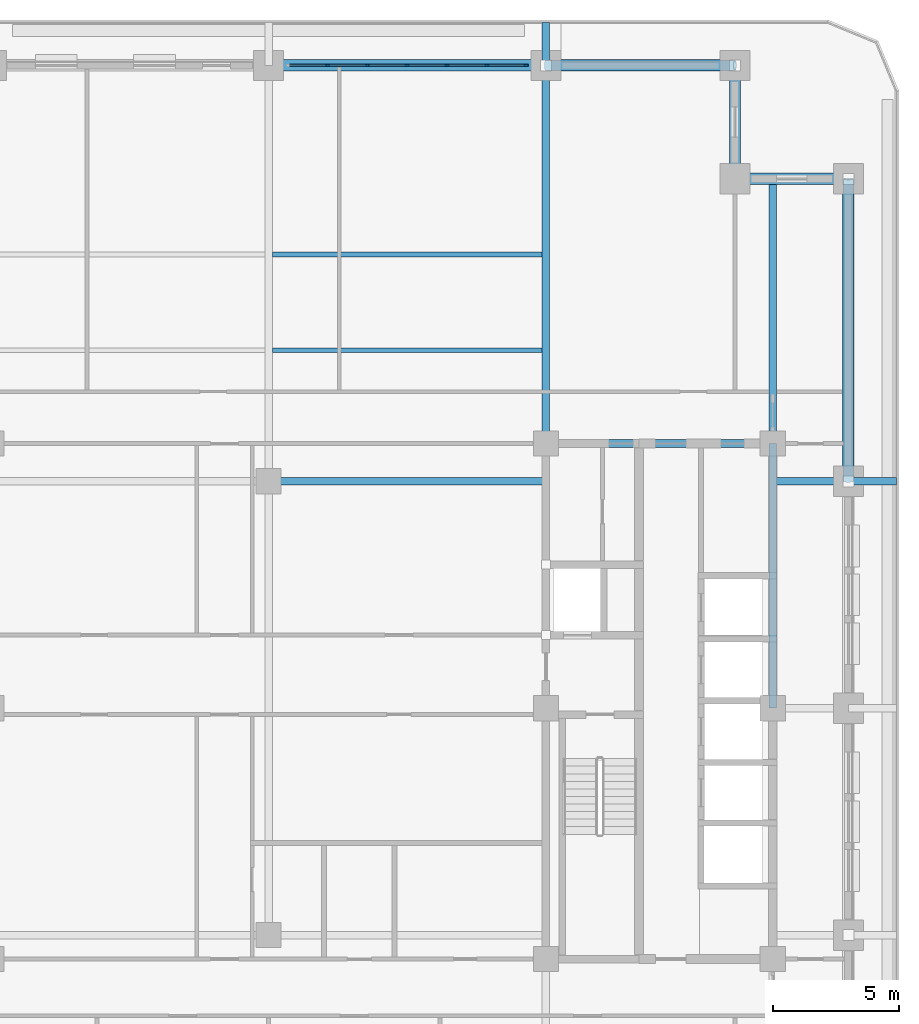
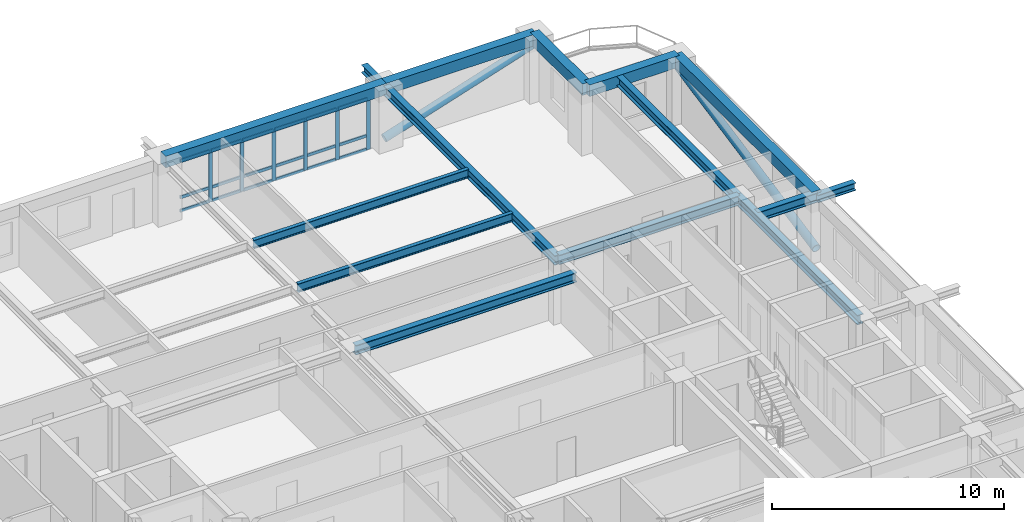
# One storey, part 6 of 20: 26 members, 15 beams, 1 element without a shape of its own.
"""IFC4 building model written with IfcOpenShell, lengths in metres."""

from ifc_helpers import new_model, si_unit, direction, frame, origin, origin_2d, place, context, subcontext, project, spatial, rectangle, hollow_circle, i_section, extrude, material, material_profile, profile_set, type_object, element, aggregate, save


model = new_model("IFC4")

# Units and contexts
model_context = context("Model", 3, precision=1e-05, world=origin(), true_north=direction((0.0, 1.0)))
body_context = subcontext(model_context, "Body", "Model", "MODEL_VIEW")
ifc_project = project(units=[si_unit("LENGTHUNIT", "METRE"), si_unit("AREAUNIT", "SQUARE_METRE"), si_unit("VOLUMEUNIT", "CUBIC_METRE"), si_unit("PLANEANGLEUNIT", "RADIAN"), si_unit("MASSUNIT", "GRAM", prefix="KILO")], contexts=[model_context])

# Site, building, storey
site_placement = place(None, origin())
site = spatial("IfcSite", under=ifc_project, at=site_placement, CompositionType="ELEMENT")
building_placement = place(site_placement, origin())
building = spatial("IfcBuilding", under=site, at=building_placement, Name="Zulmaris Gate Convention Tower", CompositionType="ELEMENT")
storey_placement = place(building_placement, frame((0.0, 0.0, 142.769775390625)))
storey = spatial("IfcBuildingStorey", under=building, at=storey_placement, Name="L36", CompositionType="ELEMENT", Elevation=142.769775390625)

# Beams
ifc_material_1 = material(Name="Steel S355", Category="steel")
ifc_material_profile_1 = material_profile(ifc_material_1, i_section(OverallWidth=0.300048828125, OverallDepth=0.39990234375, WebThickness=0.013427734375, FlangeThickness=0.02392578125, FilletRadius=0.027099609375, at=origin_2d()), Name="HEB 400")
ifc_profile_set_1 = profile_set([ifc_material_profile_1], Name="Steel S355")
beam_type_1 = type_object("IfcBeamType", Name="BM-HEB400", PredefinedType="BEAM", material=ifc_profile_set_1)
beam_1_placement = place(storey_placement, frame((11.0, 25.5, 2.97998046875), z_axis=(0.0, 1.0, 0.0), x_axis=(-1.0, 0.0, 0.0)))
element("IfcBeam", 1, at=beam_1_placement, inside=storey, type_object=beam_type_1, Name="L36 Beam TBRK-L36-N-+11", PredefinedType="BEAM", context=body_context, shape_type="SweptSolid", body=[
    extrude(i_section(OverallWidth=0.300048828125, OverallDepth=0.39990234375, WebThickness=0.013427734375, FlangeThickness=0.02392578125, FilletRadius=0.027099609375, at=origin_2d()), origin(), (0.0, 0.0, 1.0), 1.699951171875),
])
beam_2_placement = place(storey_placement, frame((23.0, 9.0, 2.97998046875), z_axis=(1.0, 0.0, 0.0), x_axis=(0.0, 1.0, 0.0)))
element("IfcBeam", 2, at=beam_2_placement, inside=storey, type_object=beam_type_1, Name="L36 Beam TBRK-L36-E-+9", PredefinedType="BEAM", context=body_context, shape_type="SweptSolid", body=[
    extrude(i_section(OverallWidth=0.300048828125, OverallDepth=0.39990234375, WebThickness=0.013427734375, FlangeThickness=0.02392578125, FilletRadius=0.027099609375, at=origin_2d()), origin(), (0.0, 0.0, 1.0), 1.89990234375),
])
ifc_material_profile_2 = material_profile(ifc_material_1, i_section(OverallWidth=0.300048828125, OverallDepth=0.5, WebThickness=0.014404296875, FlangeThickness=0.028076171875, FilletRadius=0.027099609375, at=origin_2d()), Name="HEB 500")
ifc_profile_set_2 = profile_set([ifc_material_profile_2], Name="Steel S355")
beam_type_2 = type_object("IfcBeamType", Name="BM-HEB500", PredefinedType="BEAM", material=ifc_profile_set_2)
beam_3_placement = place(storey_placement, frame((0.0, 9.0, 3.068115234375), z_axis=(1.0, 0.0, 0.0), x_axis=(0.0, 1.0, 0.0)))
element("IfcBeam", 3, at=beam_3_placement, inside=storey, type_object=beam_type_2, Name="L36 Beam BM-L36-G04", PredefinedType="BEAM", context=body_context, shape_type="SweptSolid", body=[
    extrude(i_section(OverallWidth=0.300048828125, OverallDepth=0.5, WebThickness=0.014404296875, FlangeThickness=0.028076171875, FilletRadius=0.027099609375, at=origin_2d()), origin(), (0.0, 0.0, 1.0), 11.0),
])
beam_4_placement = place(storey_placement, frame((11.0, 10.5, 2.992919921875), z_axis=(0.0, 1.0, 0.0), x_axis=(-1.0, 0.0, 0.0)))
element("IfcBeam", 4, at=beam_4_placement, inside=storey, type_object=beam_type_2, Name="L36 Beam BM-L36-G11", PredefinedType="BEAM", context=body_context, shape_type="SweptSolid", body=[
    extrude(i_section(OverallWidth=0.300048828125, OverallDepth=0.5, WebThickness=0.014404296875, FlangeThickness=0.028076171875, FilletRadius=0.027099609375, at=origin_2d()), origin(), (0.0, 0.0, 1.0), 15.0),
])
beam_5_placement = place(storey_placement, frame((20.0, 10.5, 3.068115234375), z_axis=(0.0, 1.0, 0.0), x_axis=(-1.0, 0.0, 0.0)))
element("IfcBeam", 5, at=beam_5_placement, inside=storey, type_object=beam_type_2, Name="L36 Beam BM-L36-G15", PredefinedType="BEAM", context=body_context, shape_type="SweptSolid", body=[
    extrude(i_section(OverallWidth=0.300048828125, OverallDepth=0.5, WebThickness=0.014404296875, FlangeThickness=0.028076171875, FilletRadius=0.027099609375, at=origin_2d()), origin(), (0.0, 0.0, 1.0), 10.5),
])
beam_6_placement = place(storey_placement, frame((20.0, 9.0, 3.068115234375), z_axis=(1.0, 0.0, 0.0), x_axis=(0.0, 1.0, 0.0)))
element("IfcBeam", 6, at=beam_6_placement, inside=storey, type_object=beam_type_2, Name="L36 Beam BM-L36-G21", PredefinedType="BEAM", context=body_context, shape_type="SweptSolid", body=[
    extrude(i_section(OverallWidth=0.300048828125, OverallDepth=0.5, WebThickness=0.014404296875, FlangeThickness=0.028076171875, FilletRadius=0.027099609375, at=origin_2d()), origin(), (0.0, 0.0, 1.0), 3.0),
])
beam_7_placement = place(storey_placement, frame((11.0, 10.5, 3.068115234375), z_axis=(1.0, 0.0, 0.0), x_axis=(0.0, 1.0, 0.0)))
element("IfcBeam", 7, at=beam_7_placement, inside=storey, type_object=beam_type_2, Name="L36 Beam BM-L36-G25", PredefinedType="BEAM", context=body_context, shape_type="SweptSolid", body=[
    extrude(i_section(OverallWidth=0.300048828125, OverallDepth=0.5, WebThickness=0.014404296875, FlangeThickness=0.028076171875, FilletRadius=0.027099609375, at=origin_2d()), origin(), (0.0, 0.0, 1.0), 9.0),
])
beam_8_placement = place(storey_placement, frame((20.0, 0.0, 3.068115234375), z_axis=(0.0, 1.0, 0.0), x_axis=(-1.0, 0.0, 0.0)))
element("IfcBeam", 8, at=beam_8_placement, inside=storey, type_object=beam_type_2, Name="L36 Beam BM-L36-G29", PredefinedType="BEAM", context=body_context, shape_type="SweptSolid", body=[
    extrude(i_section(OverallWidth=0.300048828125, OverallDepth=0.5, WebThickness=0.014404296875, FlangeThickness=0.028076171875, FilletRadius=0.027099609375, at=origin_2d()), origin(), (0.0, 0.0, 1.0), 10.5),
])
ifc_material_2 = material(Name="Precast concrete C50/60", Category="concrete")
ifc_material_profile_3 = material_profile(ifc_material_2, rectangle(XDim=0.449951171875, YDim=0.60009765625, at=origin_2d()), Name="RC SPANDREL 450x600")
ifc_profile_set_3 = profile_set([ifc_material_profile_3], Name="Precast concrete C50/60")
beam_type_3 = type_object("IfcBeamType", Name="BM-SP450x600", PredefinedType="SPANDREL", material=ifc_profile_set_3)
beam_9_placement = place(storey_placement, frame((23.0, 9.0, 3.02001953125), z_axis=(0.0, 1.0, 0.0), x_axis=(-1.0, 0.0, 0.0)))
element("IfcBeam", 9, at=beam_9_placement, inside=storey, type_object=beam_type_3, Name="L36 Spandrel SP-L36-10", PredefinedType="SPANDREL", context=body_context, shape_type="SweptSolid", body=[
    extrude(rectangle(XDim=0.449951171875, YDim=0.60009765625, at=origin_2d()), origin(), (0.0, 0.0, 1.0), 12.0),
])
for number, where, z_axis, x_axis, name in (
    (10, (23.0, 21.0, 3.02001953125), (-1.0, 0.0, 0.0), (0.0, -1.0, 0.0), "L36 Spandrel SP-L36-11"),
    (11, (18.5, 21.0, 3.02001953125), (0.0, 1.0, 0.0), (-1.0, 0.0, 0.0), "L36 Spandrel SP-L36-12"),
):
    element("IfcBeam", number, at=place(storey_placement, frame(where, z_axis=z_axis, x_axis=x_axis)), inside=storey, type_object=beam_type_3, Name=name, PredefinedType="SPANDREL", context=body_context, shape_type="SweptSolid", body=[
        extrude(rectangle(XDim=0.449951171875, YDim=0.60009765625, at=origin_2d()), origin(), (0.0, 0.0, 1.0), 4.5),
    ])
beam_10_placement = place(storey_placement, frame((18.5, 25.5, 3.02001953125), z_axis=(-1.0, 0.0, 0.0), x_axis=(0.0, -1.0, 0.0)))
element("IfcBeam", 12, at=beam_10_placement, inside=storey, type_object=beam_type_3, Name="L36 Spandrel SP-L36-13", PredefinedType="SPANDREL", context=body_context, shape_type="SweptSolid", body=[
    extrude(rectangle(XDim=0.449951171875, YDim=0.60009765625, at=origin_2d()), origin(), (0.0, 0.0, 1.0), 7.5),
])
beam_11_placement = place(storey_placement, frame((11.0, 25.5, 3.02001953125), z_axis=(-1.0, 0.0, 0.0), x_axis=(0.0, -1.0, 0.0)))
element("IfcBeam", 13, at=beam_11_placement, inside=storey, type_object=beam_type_3, Name="L36 Spandrel SP-L36-14", PredefinedType="SPANDREL", context=body_context, shape_type="SweptSolid", body=[
    extrude(rectangle(XDim=0.449951171875, YDim=0.60009765625, at=origin_2d()), origin(), (0.0, 0.0, 1.0), 11.0),
])

# Members
ifc_material_3 = material(Name="Steel S460", Category="steel")
ifc_material_profile_4 = material_profile(ifc_material_3, hollow_circle(Radius=0.203125, WallThickness=0.02001953125, at=origin_2d()), Name="CHS 406.4x20")
ifc_profile_set_4 = profile_set([ifc_material_profile_4], Name="Steel S460")
member_type_1 = type_object("IfcMemberType", Name="BR-CHS406", PredefinedType="BRACE", material=ifc_profile_set_4)
member_1_placement = place(storey_placement, frame((23.0, 9.0, 0.300048828125), z_axis=(0.0, 0.980582210276, 0.196108462057), x_axis=(-1.0, 0.0, 0.0)))
element("IfcMember", 14, at=member_1_placement, inside=storey, type_object=member_type_1, Name="L36 Perimeter Tube Diagonal NE-E", PredefinedType="BRACE", context=body_context, shape_type="SweptSolid", body=[
    extrude(hollow_circle(Radius=0.203125, WallThickness=0.02001953125, at=origin_2d()), origin(), (0.0, 0.0, 1.0), 12.237548828125),
])
member_2_placement = place(storey_placement, frame((11.0, 25.5, 0.300048828125), z_axis=(0.95242774696, 0.0, 0.304764477624), x_axis=(0.0, 1.0, 0.0)))
element("IfcMember", 15, at=member_2_placement, inside=storey, type_object=member_type_1, Name="L36 Perimeter Tube Diagonal NE-N", PredefinedType="BRACE", context=body_context, shape_type="SweptSolid", body=[
    extrude(hollow_circle(Radius=0.203125, WallThickness=0.02001953125, at=origin_2d()), origin(), (0.0, 0.0, 1.0), 7.87451171875),
])

# Curtain wall, members
ifc_material_4 = material(Name="Anodised Aluminium", Category="aluminium")
curtain_wall_type = type_object("IfcCurtainWallType", Name="CW-06", PredefinedType="NOTDEFINED", material=ifc_material_4)
curtain_wall_placement = place(storey_placement, origin())
curtain_wall = element("IfcCurtainWall", 16, at=curtain_wall_placement, inside=storey, type_object=curtain_wall_type, Name="CW-06 CW06-L36-N-2_0", PredefinedType="NOTDEFINED")
ifc_material_profile_5 = material_profile(ifc_material_4, rectangle(XDim=0.074951171875, YDim=0.179931640625, at=origin_2d()), Name="ALU MULLION 75x180")
ifc_profile_set_5 = profile_set([ifc_material_profile_5], Name="Anodised Aluminium")
member_type_2 = type_object("IfcMemberType", Name="CW-06-MULL", PredefinedType="MULLION", material=ifc_profile_set_5)
member_3_placement = place(storey_placement, frame((10.202392578125, 25.5, 0.0), z_axis=(0.0, 0.0, 1.0), x_axis=(0.0, -1.0, 0.0)))
member_3 = element("IfcMember", 17, at=member_3_placement, type_object=member_type_2, Name="CW-06 mullion 1", PredefinedType="MULLION", context=body_context, shape_type="SweptSolid", body=[
    extrude(rectangle(XDim=0.074951171875, YDim=0.179931640625, at=origin_2d()), origin(), (0.0, 0.0, 1.0), 2.7119140625),
])
member_4_placement = place(storey_placement, frame((8.659912109375, 25.5, 0.0), z_axis=(0.0, 0.0, 1.0), x_axis=(0.0, -1.0, 0.0)))
member_4 = element("IfcMember", 18, at=member_4_placement, type_object=member_type_2, Name="CW-06 mullion 2", PredefinedType="MULLION", context=body_context, shape_type="SweptSolid", body=[
    extrude(rectangle(XDim=0.074951171875, YDim=0.179931640625, at=origin_2d()), origin(), (0.0, 0.0, 1.0), 2.7119140625),
])
member_5_placement = place(storey_placement, frame((7.080078125, 25.5, 0.0), z_axis=(0.0, 0.0, 1.0), x_axis=(0.0, -1.0, 0.0)))
member_5 = element("IfcMember", 19, at=member_5_placement, type_object=member_type_2, Name="CW-06 mullion 3", PredefinedType="MULLION", context=body_context, shape_type="SweptSolid", body=[
    extrude(rectangle(XDim=0.074951171875, YDim=0.179931640625, at=origin_2d()), origin(), (0.0, 0.0, 1.0), 2.7119140625),
])
member_6_placement = place(storey_placement, frame((5.5, 25.5, 0.0), z_axis=(0.0, 0.0, 1.0), x_axis=(0.0, -1.0, 0.0)))
member_6 = element("IfcMember", 20, at=member_6_placement, type_object=member_type_2, Name="CW-06 mullion 4", PredefinedType="MULLION", context=body_context, shape_type="SweptSolid", body=[
    extrude(rectangle(XDim=0.074951171875, YDim=0.179931640625, at=origin_2d()), origin(), (0.0, 0.0, 1.0), 2.7119140625),
])
member_7_placement = place(storey_placement, frame((3.919921875, 25.5, 0.0), z_axis=(0.0, 0.0, 1.0), x_axis=(0.0, -1.0, 0.0)))
member_7 = element("IfcMember", 21, at=member_7_placement, type_object=member_type_2, Name="CW-06 mullion 5", PredefinedType="MULLION", context=body_context, shape_type="SweptSolid", body=[
    extrude(rectangle(XDim=0.074951171875, YDim=0.179931640625, at=origin_2d()), origin(), (0.0, 0.0, 1.0), 2.7119140625),
])
member_8_placement = place(storey_placement, frame((2.340087890625, 25.5, 0.0), z_axis=(0.0, 0.0, 1.0), x_axis=(0.0, -1.0, 0.0)))
member_8 = element("IfcMember", 22, at=member_8_placement, type_object=member_type_2, Name="CW-06 mullion 6", PredefinedType="MULLION", context=body_context, shape_type="SweptSolid", body=[
    extrude(rectangle(XDim=0.074951171875, YDim=0.179931640625, at=origin_2d()), origin(), (0.0, 0.0, 1.0), 2.7119140625),
])
ifc_material_profile_6 = material_profile(ifc_material_4, rectangle(XDim=0.074951171875, YDim=0.14990234375, at=origin_2d()), Name="ALU TRANSOM 75x150")
ifc_profile_set_6 = profile_set([ifc_material_profile_6], Name="Anodised Aluminium")
member_type_3 = type_object("IfcMemberType", Name="CW-06-TRAN", PredefinedType="USERDEFINED", material=ifc_profile_set_6)
member_9_placement = place(storey_placement, frame((10.1650390625, 25.5, 0.03759765625), z_axis=(-1.0, 0.0, 0.0), x_axis=(0.0, -1.0, 0.0)))
member_9 = element("IfcMember", 23, at=member_9_placement, type_object=member_type_3, Name="CW-06 transom 1.1", ObjectType="TRANSOM", PredefinedType="USERDEFINED", context=body_context, shape_type="SweptSolid", body=[
    extrude(rectangle(XDim=0.074951171875, YDim=0.14990234375, at=origin_2d()), origin(), (0.0, 0.0, 1.0), 1.467529296875),
])
member_10_placement = place(storey_placement, frame((10.1650390625, 25.5, 0.75), z_axis=(-1.0, 0.0, 0.0), x_axis=(0.0, -1.0, 0.0)))
member_10 = element("IfcMember", 24, at=member_10_placement, type_object=member_type_3, Name="CW-06 transom 1.2", ObjectType="TRANSOM", PredefinedType="USERDEFINED", context=body_context, shape_type="SweptSolid", body=[
    extrude(rectangle(XDim=0.074951171875, YDim=0.14990234375, at=origin_2d()), origin(), (0.0, 0.0, 1.0), 1.467529296875),
])
member_11_placement = place(storey_placement, frame((10.1650390625, 25.5, 2.674560546875), z_axis=(-1.0, 0.0, 0.0), x_axis=(0.0, -1.0, 0.0)))
member_11 = element("IfcMember", 25, at=member_11_placement, type_object=member_type_3, Name="CW-06 transom 1.3", ObjectType="TRANSOM", PredefinedType="USERDEFINED", context=body_context, shape_type="SweptSolid", body=[
    extrude(rectangle(XDim=0.074951171875, YDim=0.14990234375, at=origin_2d()), origin(), (0.0, 0.0, 1.0), 1.467529296875),
])
member_12_placement = place(storey_placement, frame((8.62255859375, 25.5, 0.03759765625), z_axis=(-1.0, 0.0, 0.0), x_axis=(0.0, -1.0, 0.0)))
member_12 = element("IfcMember", 26, at=member_12_placement, type_object=member_type_3, Name="CW-06 transom 2.1", ObjectType="TRANSOM", PredefinedType="USERDEFINED", context=body_context, shape_type="SweptSolid", body=[
    extrude(rectangle(XDim=0.074951171875, YDim=0.14990234375, at=origin_2d()), origin(), (0.0, 0.0, 1.0), 1.505126953125),
])
member_13_placement = place(storey_placement, frame((8.62255859375, 25.5, 0.75), z_axis=(-1.0, 0.0, 0.0), x_axis=(0.0, -1.0, 0.0)))
member_13 = element("IfcMember", 27, at=member_13_placement, type_object=member_type_3, Name="CW-06 transom 2.2", ObjectType="TRANSOM", PredefinedType="USERDEFINED", context=body_context, shape_type="SweptSolid", body=[
    extrude(rectangle(XDim=0.074951171875, YDim=0.14990234375, at=origin_2d()), origin(), (0.0, 0.0, 1.0), 1.505126953125),
])
member_14_placement = place(storey_placement, frame((8.62255859375, 25.5, 2.674560546875), z_axis=(-1.0, 0.0, 0.0), x_axis=(0.0, -1.0, 0.0)))
member_14 = element("IfcMember", 28, at=member_14_placement, type_object=member_type_3, Name="CW-06 transom 2.3", ObjectType="TRANSOM", PredefinedType="USERDEFINED", context=body_context, shape_type="SweptSolid", body=[
    extrude(rectangle(XDim=0.074951171875, YDim=0.14990234375, at=origin_2d()), origin(), (0.0, 0.0, 1.0), 1.505126953125),
])
member_15_placement = place(storey_placement, frame((7.04248046875, 25.5, 0.03759765625), z_axis=(-1.0, 0.0, 0.0), x_axis=(0.0, -1.0, 0.0)))
member_15 = element("IfcMember", 29, at=member_15_placement, type_object=member_type_3, Name="CW-06 transom 3.1", ObjectType="TRANSOM", PredefinedType="USERDEFINED", context=body_context, shape_type="SweptSolid", body=[
    extrude(rectangle(XDim=0.074951171875, YDim=0.14990234375, at=origin_2d()), origin(), (0.0, 0.0, 1.0), 1.5048828125),
])
member_16_placement = place(storey_placement, frame((7.04248046875, 25.5, 0.75), z_axis=(-1.0, 0.0, 0.0), x_axis=(0.0, -1.0, 0.0)))
member_16 = element("IfcMember", 30, at=member_16_placement, type_object=member_type_3, Name="CW-06 transom 3.2", ObjectType="TRANSOM", PredefinedType="USERDEFINED", context=body_context, shape_type="SweptSolid", body=[
    extrude(rectangle(XDim=0.074951171875, YDim=0.14990234375, at=origin_2d()), origin(), (0.0, 0.0, 1.0), 1.5048828125),
])
member_17_placement = place(storey_placement, frame((7.04248046875, 25.5, 2.674560546875), z_axis=(-1.0, 0.0, 0.0), x_axis=(0.0, -1.0, 0.0)))
member_17 = element("IfcMember", 31, at=member_17_placement, type_object=member_type_3, Name="CW-06 transom 3.3", ObjectType="TRANSOM", PredefinedType="USERDEFINED", context=body_context, shape_type="SweptSolid", body=[
    extrude(rectangle(XDim=0.074951171875, YDim=0.14990234375, at=origin_2d()), origin(), (0.0, 0.0, 1.0), 1.5048828125),
])
member_18_placement = place(storey_placement, frame((5.46240234375, 25.5, 0.03759765625), z_axis=(-1.0, 0.0, 0.0), x_axis=(0.0, -1.0, 0.0)))
member_18 = element("IfcMember", 32, at=member_18_placement, type_object=member_type_3, Name="CW-06 transom 4.1", ObjectType="TRANSOM", PredefinedType="USERDEFINED", context=body_context, shape_type="SweptSolid", body=[
    extrude(rectangle(XDim=0.074951171875, YDim=0.14990234375, at=origin_2d()), origin(), (0.0, 0.0, 1.0), 1.5048828125),
])
member_19_placement = place(storey_placement, frame((5.46240234375, 25.5, 0.75), z_axis=(-1.0, 0.0, 0.0), x_axis=(0.0, -1.0, 0.0)))
member_19 = element("IfcMember", 33, at=member_19_placement, type_object=member_type_3, Name="CW-06 transom 4.2", ObjectType="TRANSOM", PredefinedType="USERDEFINED", context=body_context, shape_type="SweptSolid", body=[
    extrude(rectangle(XDim=0.074951171875, YDim=0.14990234375, at=origin_2d()), origin(), (0.0, 0.0, 1.0), 1.5048828125),
])
member_20_placement = place(storey_placement, frame((5.46240234375, 25.5, 2.674560546875), z_axis=(-1.0, 0.0, 0.0), x_axis=(0.0, -1.0, 0.0)))
member_20 = element("IfcMember", 34, at=member_20_placement, type_object=member_type_3, Name="CW-06 transom 4.3", ObjectType="TRANSOM", PredefinedType="USERDEFINED", context=body_context, shape_type="SweptSolid", body=[
    extrude(rectangle(XDim=0.074951171875, YDim=0.14990234375, at=origin_2d()), origin(), (0.0, 0.0, 1.0), 1.5048828125),
])
member_21_placement = place(storey_placement, frame((3.882568359375, 25.5, 0.03759765625), z_axis=(-1.0, 0.0, 0.0), x_axis=(0.0, -1.0, 0.0)))
member_21 = element("IfcMember", 35, at=member_21_placement, type_object=member_type_3, Name="CW-06 transom 5.1", ObjectType="TRANSOM", PredefinedType="USERDEFINED", context=body_context, shape_type="SweptSolid", body=[
    extrude(rectangle(XDim=0.074951171875, YDim=0.14990234375, at=origin_2d()), origin(), (0.0, 0.0, 1.0), 1.505126953125),
])
member_22_placement = place(storey_placement, frame((3.882568359375, 25.5, 0.75), z_axis=(-1.0, 0.0, 0.0), x_axis=(0.0, -1.0, 0.0)))
member_22 = element("IfcMember", 36, at=member_22_placement, type_object=member_type_3, Name="CW-06 transom 5.2", ObjectType="TRANSOM", PredefinedType="USERDEFINED", context=body_context, shape_type="SweptSolid", body=[
    extrude(rectangle(XDim=0.074951171875, YDim=0.14990234375, at=origin_2d()), origin(), (0.0, 0.0, 1.0), 1.505126953125),
])
member_23_placement = place(storey_placement, frame((3.882568359375, 25.5, 2.674560546875), z_axis=(-1.0, 0.0, 0.0), x_axis=(0.0, -1.0, 0.0)))
member_23 = element("IfcMember", 37, at=member_23_placement, type_object=member_type_3, Name="CW-06 transom 5.3", ObjectType="TRANSOM", PredefinedType="USERDEFINED", context=body_context, shape_type="SweptSolid", body=[
    extrude(rectangle(XDim=0.074951171875, YDim=0.14990234375, at=origin_2d()), origin(), (0.0, 0.0, 1.0), 1.505126953125),
])
member_24_placement = place(storey_placement, frame((2.302490234375, 25.5, 0.03759765625), z_axis=(-1.0, 0.0, 0.0), x_axis=(0.0, -1.0, 0.0)))
member_24 = element("IfcMember", 38, at=member_24_placement, type_object=member_type_3, Name="CW-06 transom 6.1", ObjectType="TRANSOM", PredefinedType="USERDEFINED", context=body_context, shape_type="SweptSolid", body=[
    extrude(rectangle(XDim=0.074951171875, YDim=0.14990234375, at=origin_2d()), origin(), (0.0, 0.0, 1.0), 1.467529296875),
])
member_25_placement = place(storey_placement, frame((2.302490234375, 25.5, 0.75), z_axis=(-1.0, 0.0, 0.0), x_axis=(0.0, -1.0, 0.0)))
member_25 = element("IfcMember", 39, at=member_25_placement, type_object=member_type_3, Name="CW-06 transom 6.2", ObjectType="TRANSOM", PredefinedType="USERDEFINED", context=body_context, shape_type="SweptSolid", body=[
    extrude(rectangle(XDim=0.074951171875, YDim=0.14990234375, at=origin_2d()), origin(), (0.0, 0.0, 1.0), 1.467529296875),
])
member_26_placement = place(storey_placement, frame((2.302490234375, 25.5, 2.674560546875), z_axis=(-1.0, 0.0, 0.0), x_axis=(0.0, -1.0, 0.0)))
member_26 = element("IfcMember", 40, at=member_26_placement, type_object=member_type_3, Name="CW-06 transom 6.3", ObjectType="TRANSOM", PredefinedType="USERDEFINED", context=body_context, shape_type="SweptSolid", body=[
    extrude(rectangle(XDim=0.074951171875, YDim=0.14990234375, at=origin_2d()), origin(), (0.0, 0.0, 1.0), 1.467529296875),
])
aggregate(curtain_wall, [member_3, member_4, member_5, member_6, member_7, member_8, member_9, member_10, member_11, member_12, member_13, member_14, member_15, member_16, member_17, member_18, member_19, member_20, member_21, member_22, member_23, member_24, member_25, member_26])

# Beams
ifc_material_profile_7 = material_profile(ifc_material_1, i_section(OverallWidth=0.18994140625, OverallDepth=0.449951171875, WebThickness=0.009521484375, FlangeThickness=0.0146484375, FilletRadius=0.02099609375, at=origin_2d()), Name="IPE 450")
ifc_profile_set_7 = profile_set([ifc_material_profile_7], Name="Steel S355")
beam_type_4 = type_object("IfcBeamType", Name="JT-IPE450", PredefinedType="JOIST", material=ifc_profile_set_7)
for number, where, z_axis, x_axis, name in (
    (41, (0.14990234375, 14.199951171875, 3.093017578125), (1.0, 0.0, 0.0), (0.0, 1.0, 0.0), "L36 Joist JT-L36-CE-+14.2"),
    (42, (0.14990234375, 18.0, 3.093017578125), (1.0, 0.0, 0.0), (0.0, 1.0, 0.0), "L36 Joist JT-L36-CE-+18.0"),
):
    element("IfcBeam", number, at=place(storey_placement, frame(where, z_axis=z_axis, x_axis=x_axis)), inside=storey, type_object=beam_type_4, Name=name, PredefinedType="JOIST", context=body_context, shape_type="SweptSolid", body=[
        extrude(i_section(OverallWidth=0.18994140625, OverallDepth=0.449951171875, WebThickness=0.009521484375, FlangeThickness=0.0146484375, FilletRadius=0.02099609375, at=origin_2d()), origin(), (0.0, 0.0, 1.0), 10.7001953125),
    ])

save(model, "model.ifc")
